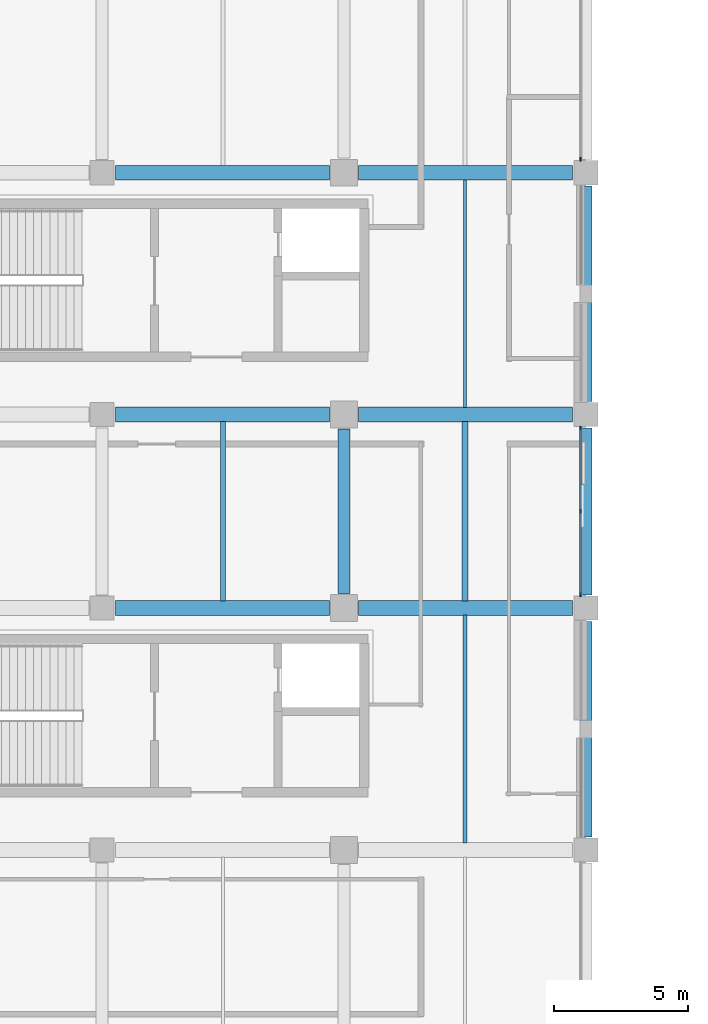
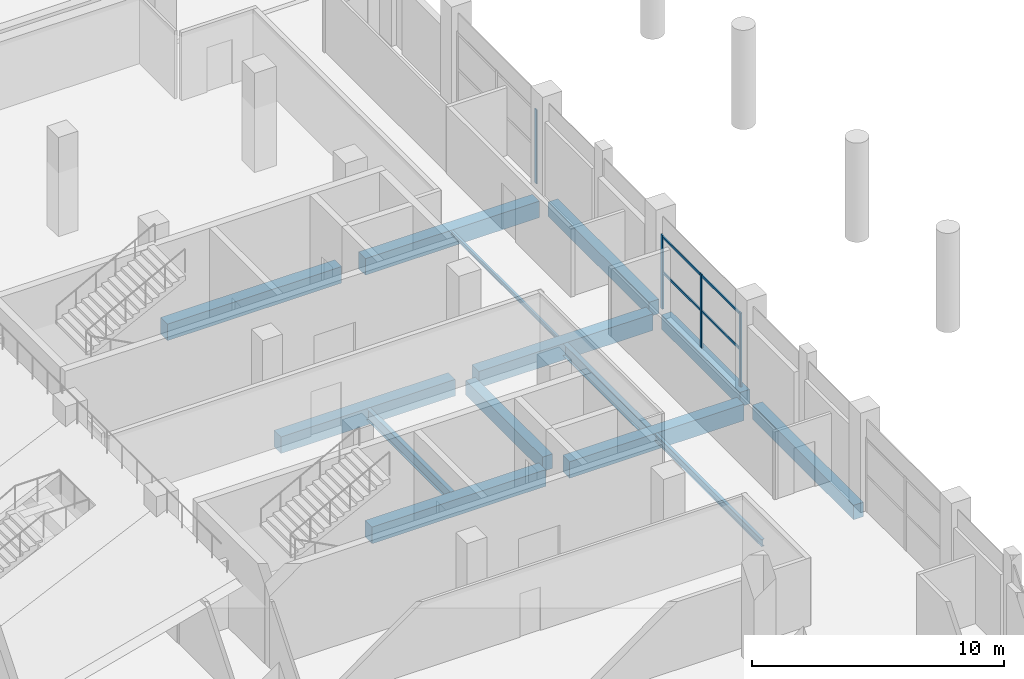
# One storey, part 26 of 100: 14 beams, 6 members, 2 elements without a shape of their own.
"""IFC4 building model written with IfcOpenShell, lengths in metres."""

from ifc_helpers import new_model, si_unit, direction, frame, origin, origin_2d, place, context, subcontext, project, spatial, rectangle, i_section, extrude, material, material_profile, profile_set, type_object, element, aggregate, save


model = new_model("IFC4")

# Units and contexts
model_context = context("Model", 3, precision=1e-05, world=origin(), true_north=direction((0.0, 1.0)))
body_context = subcontext(model_context, "Body", "Model", "MODEL_VIEW")
ifc_project = project(units=[si_unit("LENGTHUNIT", "METRE"), si_unit("AREAUNIT", "SQUARE_METRE"), si_unit("VOLUMEUNIT", "CUBIC_METRE"), si_unit("PLANEANGLEUNIT", "RADIAN"), si_unit("MASSUNIT", "GRAM", prefix="KILO"), si_unit("THERMODYNAMICTEMPERATUREUNIT", "KELVIN"), si_unit("POWERUNIT", "WATT")], contexts=[model_context])

# Site, building, storey
site_placement = place(None, origin())
site = spatial("IfcSite", under=ifc_project, at=site_placement, CompositionType="ELEMENT")
building_placement = place(site_placement, origin())
building = spatial("IfcBuilding", under=site, at=building_placement, Name="Sindhuravela Promenade Stadium", CompositionType="ELEMENT")
storey_placement = place(building_placement, frame((0.0, 0.0, 4.800048828125)))
storey = spatial("IfcBuildingStorey", under=building, at=storey_placement, Name="L01", CompositionType="ELEMENT", Elevation=4.800048828125)

# Curtain wall, member
ifc_material_1 = material(Name="Anodised architectural aluminium 6063-T6", Category="aluminium")
curtain_wall_type_1 = type_object("IfcCurtainWallType", Name="CW-MOD-8", PredefinedType="NOTDEFINED", material=ifc_material_1)
curtain_wall_1_placement = place(storey_placement, origin())
curtain_wall_1 = element("IfcCurtainWall", 1, at=curtain_wall_1_placement, inside=storey, type_object=curtain_wall_type_1, Name="Bronze curtain wall CW-EAST-L01-087", PredefinedType="NOTDEFINED")
ifc_material_profile_1 = material_profile(ifc_material_1, rectangle(XDim=0.06005859375, YDim=0.159912109375, at=origin_2d()), Name="ALU M60x160")
ifc_profile_set_1 = profile_set([ifc_material_profile_1], Name="Anodised architectural aluminium 6063-T6")
member_type_1 = type_object("IfcMemberType", Name="CW-MUL-4", PredefinedType="MULLION", material=ifc_profile_set_1)
member_1_placement = place(storey_placement, frame((206.800048828125, 110.300048828125, 0.0), z_axis=(0.0, 0.0, 1.0), x_axis=(1.0, 0.0, 0.0)))
member_1 = element("IfcMember", 2, at=member_1_placement, type_object=member_type_1, Name="Curtain wall mullion CW-EAST-L01-087-M3", PredefinedType="MULLION", context=body_context, shape_type="SweptSolid", body=[
    extrude(rectangle(XDim=0.06005859375, YDim=0.159912109375, at=origin_2d()), origin(), (0.0, 0.0, 1.0), 3.579833984375),
])
aggregate(curtain_wall_1, [member_1])

# Curtain wall, members
curtain_wall_type_2 = type_object("IfcCurtainWallType", Name="CW-MOD-1", PredefinedType="NOTDEFINED", material=ifc_material_1)
curtain_wall_2_placement = place(storey_placement, origin())
curtain_wall_2 = element("IfcCurtainWall", 3, at=curtain_wall_2_placement, inside=storey, type_object=curtain_wall_type_2, Name="Bronze curtain wall CW-EAST-L01-088", PredefinedType="NOTDEFINED")
ifc_material_profile_2 = material_profile(ifc_material_1, rectangle(XDim=0.06005859375, YDim=0.139892578125, at=origin_2d()), Name="ALU M60x140")
ifc_profile_set_2 = profile_set([ifc_material_profile_2], Name="Anodised architectural aluminium 6063-T6")
member_type_2 = type_object("IfcMemberType", Name="CW-MUL-5", PredefinedType="MULLION", material=ifc_profile_set_2)
member_2_placement = place(storey_placement, frame((206.800048828125, 100.300048828125, 0.0), z_axis=(0.0, 0.0, 1.0), x_axis=(1.0, 0.0, 0.0)))
member_2 = element("IfcMember", 4, at=member_2_placement, type_object=member_type_2, Name="Curtain wall mullion CW-EAST-L01-088-M1", PredefinedType="MULLION", context=body_context, shape_type="SweptSolid", body=[
    extrude(rectangle(XDim=0.06005859375, YDim=0.139892578125, at=origin_2d()), origin(), (0.0, 0.0, 1.0), 3.579833984375),
])
member_3_placement = place(storey_placement, frame((206.800048828125, 97.199951171875, 0.0), z_axis=(0.0, 0.0, 1.0), x_axis=(1.0, 0.0, 0.0)))
member_3 = element("IfcMember", 5, at=member_3_placement, type_object=member_type_2, Name="Curtain wall mullion CW-EAST-L01-088-M2", PredefinedType="MULLION", context=body_context, shape_type="SweptSolid", body=[
    extrude(rectangle(XDim=0.06005859375, YDim=0.139892578125, at=origin_2d()), origin(), (0.0, 0.0, 1.0), 3.579833984375),
])
member_4_placement = place(storey_placement, frame((206.800048828125, 94.10009765625, 0.0), z_axis=(0.0, 0.0, 1.0), x_axis=(1.0, 0.0, 0.0)))
member_4 = element("IfcMember", 6, at=member_4_placement, type_object=member_type_2, Name="Curtain wall mullion CW-EAST-L01-088-M3", PredefinedType="MULLION", context=body_context, shape_type="SweptSolid", body=[
    extrude(rectangle(XDim=0.06005859375, YDim=0.139892578125, at=origin_2d()), origin(), (0.0, 0.0, 1.0), 3.579833984375),
])
ifc_material_profile_3 = material_profile(ifc_material_1, rectangle(XDim=0.06005859375, YDim=0.110107421875, at=origin_2d()), Name="ALU T60x110")
ifc_profile_set_3 = profile_set([ifc_material_profile_3], Name="Anodised architectural aluminium 6063-T6")
member_type_3 = type_object("IfcMemberType", Name="CW-TRN-5", PredefinedType="USERDEFINED", material=ifc_profile_set_3)
member_5_placement = place(storey_placement, frame((206.800048828125, 100.324951171875, 1.7900390625), z_axis=(0.0, -1.0, 0.0), x_axis=(1.0, 0.0, 0.0)))
member_5 = element("IfcMember", 7, at=member_5_placement, type_object=member_type_3, Name="Curtain wall transom CW-EAST-L01-088-T1", ObjectType="TRANSOM", PredefinedType="USERDEFINED", context=body_context, shape_type="SweptSolid", body=[
    extrude(rectangle(XDim=0.06005859375, YDim=0.110107421875, at=origin_2d()), origin(), (0.0, 0.0, 1.0), 6.25),
])
member_6_placement = place(storey_placement, frame((206.800048828125, 100.324951171875, 3.5), z_axis=(0.0, -1.0, 0.0), x_axis=(1.0, 0.0, 0.0)))
member_6 = element("IfcMember", 8, at=member_6_placement, type_object=member_type_3, Name="Curtain wall transom CW-EAST-L01-088-T2", ObjectType="TRANSOM", PredefinedType="USERDEFINED", context=body_context, shape_type="SweptSolid", body=[
    extrude(rectangle(XDim=0.06005859375, YDim=0.110107421875, at=origin_2d()), origin(), (0.0, 0.0, 1.0), 6.25),
])
aggregate(curtain_wall_2, [member_2, member_3, member_4, member_5, member_6])

# Beams
ifc_material_2 = material(Name="Concrete M40", Category="concrete")
ifc_material_profile_4 = material_profile(ifc_material_2, rectangle(XDim=0.449951171875, YDim=0.699951171875, at=origin_2d()), Name="RC 450x700")
ifc_profile_set_4 = profile_set([ifc_material_profile_4], Name="Concrete M40")
beam_type_1 = type_object("IfcBeamType", Name="RC-BM-450x700", PredefinedType="BEAM", material=ifc_profile_set_4)
beam_1_placement = place(storey_placement, frame((198.0, 94.139892578125, -0.650146484375), z_axis=(0.0, 1.0, 0.0), x_axis=(-1.0, 0.0, 0.0)))
element("IfcBeam", 9, at=beam_1_placement, inside=storey, type_object=beam_type_1, Name="Primary beam GB07 EAST L01", PredefinedType="BEAM", context=body_context, shape_type="SweptSolid", body=[
    extrude(rectangle(XDim=0.449951171875, YDim=0.699951171875, at=origin_2d()), origin(), (0.0, 0.0, 1.0), 6.1201171875),
])
beam_2_placement = place(storey_placement, frame((207.0, 85.090087890625, -0.650146484375), z_axis=(0.0, 1.0, 0.0), x_axis=(-1.0, 0.0, 0.0)))
element("IfcBeam", 10, at=beam_2_placement, inside=storey, type_object=beam_type_1, Name="Primary beam GB07 EAST L01", PredefinedType="BEAM", context=body_context, shape_type="SweptSolid", body=[
    extrude(rectangle(XDim=0.449951171875, YDim=0.699951171875, at=origin_2d()), origin(), (0.0, 0.0, 1.0), 8.02001953125),
])
beam_3_placement = place(storey_placement, frame((207.0, 94.090087890625, -0.650146484375), z_axis=(0.0, 1.0, 0.0), x_axis=(-1.0, 0.0, 0.0)))
element("IfcBeam", 11, at=beam_3_placement, inside=storey, type_object=beam_type_1, Name="Primary beam GB07 EAST L01", PredefinedType="BEAM", context=body_context, shape_type="SweptSolid", body=[
    extrude(rectangle(XDim=0.449951171875, YDim=0.699951171875, at=origin_2d()), origin(), (0.0, 0.0, 1.0), 6.219970703125),
])
beam_4_placement = place(storey_placement, frame((207.0, 101.2900390625, -0.650146484375), z_axis=(0.0, 1.0, 0.0), x_axis=(-1.0, 0.0, 0.0)))
element("IfcBeam", 12, at=beam_4_placement, inside=storey, type_object=beam_type_1, Name="Primary beam GB07 EAST L01", PredefinedType="BEAM", context=body_context, shape_type="SweptSolid", body=[
    extrude(rectangle(XDim=0.449951171875, YDim=0.699951171875, at=origin_2d()), origin(), (0.0, 0.0, 1.0), 8.02001953125),
])
ifc_material_profile_5 = material_profile(ifc_material_2, rectangle(XDim=0.550048828125, YDim=0.800048828125, at=origin_2d()), Name="RC 550x800")
ifc_profile_set_5 = profile_set([ifc_material_profile_5], Name="Concrete M40")
beam_type_2 = type_object("IfcBeamType", Name="RC-BM-550x800", PredefinedType="BEAM", material=ifc_profile_set_5)
for number, where, z_axis, x_axis, name in (
    (13, (189.489990234375, 93.60009765625, -0.699951171875), (1.0, 0.0, 0.0), (0.0, 1.0, 0.0), "Primary girder GB05 EAST L01"),
    (14, (198.5400390625, 93.60009765625, -0.699951171875), (1.0, 0.0, 0.0), (0.0, 1.0, 0.0), "Primary girder GB05 EAST L01"),
    (15, (189.489990234375, 100.800048828125, -0.699951171875), (1.0, 0.0, 0.0), (0.0, 1.0, 0.0), "Primary girder GB05 EAST L01"),
    (16, (198.5400390625, 100.800048828125, -0.699951171875), (1.0, 0.0, 0.0), (0.0, 1.0, 0.0), "Primary girder GB05 EAST L01"),
    (17, (189.489990234375, 109.800048828125, -0.699951171875), (1.0, 0.0, 0.0), (0.0, 1.0, 0.0), "Primary girder GB05 EAST L01"),
    (18, (198.5400390625, 109.800048828125, -0.699951171875), (1.0, 0.0, 0.0), (0.0, 1.0, 0.0), "Primary girder GB05 EAST L01"),
):
    element("IfcBeam", number, at=place(storey_placement, frame(where, z_axis=z_axis, x_axis=x_axis)), inside=storey, type_object=beam_type_2, Name=name, PredefinedType="BEAM", context=body_context, shape_type="SweptSolid", body=[
        extrude(rectangle(XDim=0.550048828125, YDim=0.800048828125, at=origin_2d()), origin(), (0.0, 0.0, 1.0), 7.969970703125),
    ])
ifc_material_3 = material(Name="Steel E350 (IS 2062 E350BR)", Category="steel")
ifc_material_profile_6 = material_profile(ifc_material_3, i_section(OverallWidth=0.10009765625, OverallDepth=0.199951171875, WebThickness=0.005615234375, FlangeThickness=0.0107421875, FilletRadius=0.010986328125, at=origin_2d()), Name="ISMB 200")
ifc_profile_set_6 = profile_set([ifc_material_profile_6], Name="Steel E350 (IS 2062 E350BR)")
beam_type_3 = type_object("IfcBeamType", Name="ST-BM-MB200", PredefinedType="JOIST", material=ifc_profile_set_6)
beam_5_placement = place(storey_placement, frame((202.5, 101.06494140625, -0.400146484375), z_axis=(0.0, 1.0, 0.0), x_axis=(-1.0, 0.0, 0.0)))
element("IfcBeam", 19, at=beam_5_placement, inside=storey, type_object=beam_type_3, Name="Secondary floor joist SB01 EAST L01", PredefinedType="JOIST", context=body_context, shape_type="SweptSolid", body=[
    extrude(i_section(OverallWidth=0.10009765625, OverallDepth=0.199951171875, WebThickness=0.005615234375, FlangeThickness=0.0107421875, FilletRadius=0.010986328125, at=origin_2d()), origin(), (0.0, 0.0, 1.0), 8.469970703125),
])
ifc_material_profile_7 = material_profile(ifc_material_3, i_section(OverallWidth=0.139892578125, OverallDepth=0.35009765625, WebThickness=0.008056640625, FlangeThickness=0.01416015625, FilletRadius=0.013916015625, at=origin_2d()), Name="ISMB 350")
ifc_profile_set_7 = profile_set([ifc_material_profile_7], Name="Steel E350 (IS 2062 E350BR)")
beam_type_4 = type_object("IfcBeamType", Name="ST-BM-MB350", PredefinedType="JOIST", material=ifc_profile_set_7)
beam_6_placement = place(storey_placement, frame((202.5, 84.864990234375, -0.47509765625), z_axis=(0.0, 1.0, 0.0), x_axis=(-1.0, 0.0, 0.0)))
element("IfcBeam", 20, at=beam_6_placement, inside=storey, type_object=beam_type_4, Name="Secondary floor joist SB04 EAST L01", PredefinedType="JOIST", context=body_context, shape_type="SweptSolid", body=[
    extrude(i_section(OverallWidth=0.139892578125, OverallDepth=0.35009765625, WebThickness=0.008056640625, FlangeThickness=0.01416015625, FilletRadius=0.013916015625, at=origin_2d()), origin(), (0.0, 0.0, 1.0), 8.469970703125),
])
ifc_material_profile_8 = material_profile(ifc_material_3, i_section(OverallWidth=0.18994140625, OverallDepth=0.550048828125, WebThickness=0.01123046875, FlangeThickness=0.019287109375, FilletRadius=0.01806640625, at=origin_2d()), Name="ISMB 550")
ifc_profile_set_8 = profile_set([ifc_material_profile_8], Name="Steel E350 (IS 2062 E350BR)")
beam_type_5 = type_object("IfcBeamType", Name="ST-BM-MB550", PredefinedType="SPANDREL", material=ifc_profile_set_8)
beam_7_placement = place(storey_placement, frame((193.5, 93.864990234375, -0.574951171875), z_axis=(0.0, 1.0, 0.0), x_axis=(-1.0, 0.0, 0.0)))
element("IfcBeam", 21, at=beam_7_placement, inside=storey, type_object=beam_type_5, Name="Secondary floor joist SB08 EAST L01", PredefinedType="SPANDREL", context=body_context, shape_type="SweptSolid", body=[
    extrude(i_section(OverallWidth=0.18994140625, OverallDepth=0.550048828125, WebThickness=0.01123046875, FlangeThickness=0.019287109375, FilletRadius=0.01806640625, at=origin_2d()), origin(), (0.0, 0.0, 1.0), 6.669921875),
])
ifc_material_profile_9 = material_profile(ifc_material_3, i_section(OverallWidth=0.2099609375, OverallDepth=0.60009765625, WebThickness=0.011962890625, FlangeThickness=0.020751953125, FilletRadius=0.02001953125, at=origin_2d()), Name="ISMB 600")
ifc_profile_set_9 = profile_set([ifc_material_profile_9], Name="Steel E350 (IS 2062 E350BR)")
beam_type_6 = type_object("IfcBeamType", Name="ST-BM-MB600", PredefinedType="BEAM", material=ifc_profile_set_9)
beam_8_placement = place(storey_placement, frame((202.5, 93.864990234375, -0.60009765625), z_axis=(0.0, 1.0, 0.0), x_axis=(-1.0, 0.0, 0.0)))
element("IfcBeam", 22, at=beam_8_placement, inside=storey, type_object=beam_type_6, Name="Secondary floor joist SB09 EAST L01", PredefinedType="BEAM", context=body_context, shape_type="SweptSolid", body=[
    extrude(i_section(OverallWidth=0.2099609375, OverallDepth=0.60009765625, WebThickness=0.011962890625, FlangeThickness=0.020751953125, FilletRadius=0.02001953125, at=origin_2d()), origin(), (0.0, 0.0, 1.0), 6.669921875),
])

save(model, "model.ifc")
